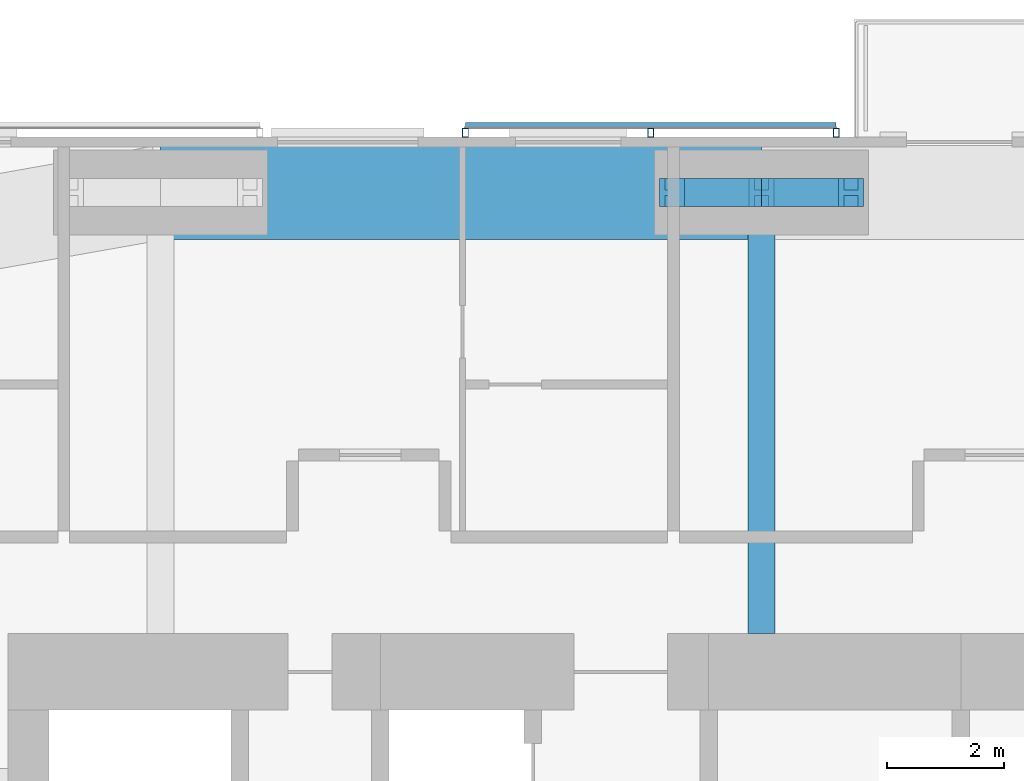
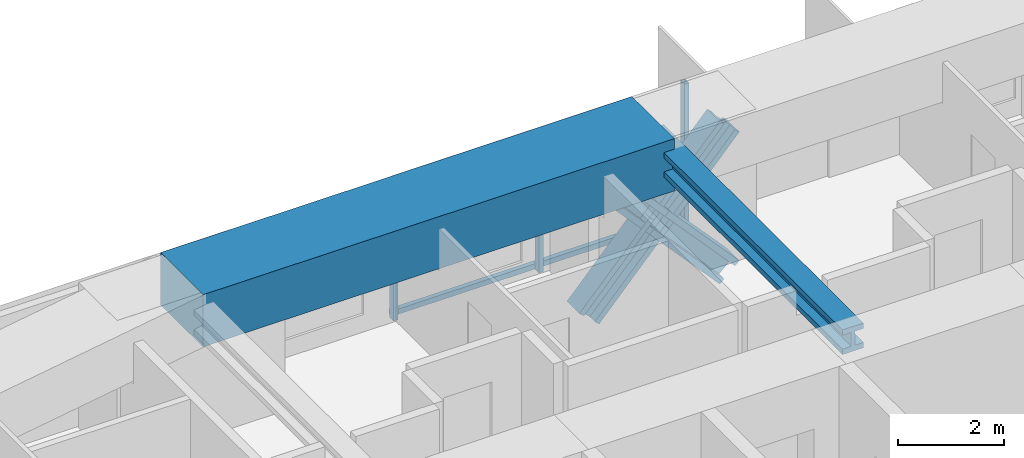
# One storey, part 12 of 23: 8 members, 2 beams, 1 element without a shape of its own.
"""IFC4 building model written with IfcOpenShell, lengths in metres."""

from ifc_helpers import new_model, si_unit, direction, frame, origin, origin_2d, place, context, subcontext, project, spatial, rectangle, hollow_rectangle, i_section, extrude, material, material_profile, profile_set, type_object, element, aggregate, save


model = new_model("IFC4")

# Units and contexts
model_context = context("Model", 3, precision=1e-05, world=origin(), true_north=direction((0.0, 1.0)))
body_context = subcontext(model_context, "Body", "Model", "MODEL_VIEW")
ifc_project = project(units=[si_unit("LENGTHUNIT", "METRE"), si_unit("AREAUNIT", "SQUARE_METRE"), si_unit("VOLUMEUNIT", "CUBIC_METRE"), si_unit("PLANEANGLEUNIT", "RADIAN"), si_unit("MASSUNIT", "GRAM", prefix="KILO")], contexts=[model_context])

# Site, building, storey
site_placement = place(None, origin())
site = spatial("IfcSite", under=ifc_project, at=site_placement, CompositionType="ELEMENT")
building_placement = place(site_placement, origin())
building = spatial("IfcBuilding", under=site, at=building_placement, Name="Jalousie Tower", CompositionType="ELEMENT")
storey_placement = place(building_placement, frame((0.0, 0.0, 184.5)))
storey = spatial("IfcBuildingStorey", under=building, at=storey_placement, Name="L50", CompositionType="ELEMENT", Elevation=184.5)

# Beam
ifc_material_1 = material(Name="Steel ASTM A992 Grade 50", Category="steel")
ifc_material_profile_1 = material_profile(ifc_material_1, i_section(OverallWidth=0.45458984375, OverallDepth=0.569091796875, WebThickness=0.077880859375, FlangeThickness=0.124755859375, at=origin_2d()), Name="W14X730")
ifc_profile_set_1 = profile_set([ifc_material_profile_1], Name="Steel ASTM A992 Grade 50")
beam_type_1 = type_object("IfcBeamType", Name="LEAN COLLECTOR W14X730", PredefinedType="BEAM", material=ifc_profile_set_1)
beam_1_placement = place(storey_placement, frame((32.5, 35.050048828125, 2.825439453125), z_axis=(0.0, -1.0, 0.0), x_axis=(1.0, 0.0, 0.0)))
element("IfcBeam", 1, at=beam_1_placement, inside=storey, type_object=beam_type_1, Name="Lean collector under L51", PredefinedType="BEAM", context=body_context, shape_type="SweptSolid", body=[
    extrude(i_section(OverallWidth=0.45458984375, OverallDepth=0.569091796875, WebThickness=0.077880859375, FlangeThickness=0.124755859375, at=origin_2d()), origin(), (0.0, 0.0, 1.0), 7.525146484375),
])

# Members
ifc_material_2 = material(Name="Steel ASTM A992 Grade 50", Category="steel")
ifc_material_profile_2 = material_profile(ifc_material_2, i_section(OverallWidth=0.472412109375, OverallDepth=0.5791015625, WebThickness=0.094970703125, FlangeThickness=0.1298828125, at=origin_2d()), Name="W14X808")
ifc_profile_set_2 = profile_set([ifc_material_profile_2], Name="Steel ASTM A992 Grade 50")
member_type_1 = type_object("IfcMemberType", Name="PERIMETER BRACE W14X808", PredefinedType="BRACE", material=ifc_profile_set_2)
for number, where, z_axis, x_axis, name in (
    (2, (30.97509765625, 35.050048828125, -0.60009765625), (0.673187629365, 0.0, 0.739471713908), (0.0, 1.0, 0.0), "Perimeter brace 10 L50 part 1"),
    (3, (32.5, 35.050048828125, 1.074951171875), (0.673187629365, 0.0, 0.739471713908), (0.0, 1.0, 0.0), "Perimeter brace 10 L50 part 2"),
    (4, (34.02490234375, 35.050048828125, -0.60009765625), (-0.673187629365, 0.0, 0.739471713908), (0.0, -1.0, 0.0), "Perimeter brace 10 L50 part 3"),
    (5, (32.5, 35.050048828125, 1.074951171875), (-0.673187629365, 0.0, 0.739471713908), (0.0, -1.0, 0.0), "Perimeter brace 10 L50 part 4"),
):
    element("IfcMember", number, at=place(storey_placement, frame(where, z_axis=z_axis, x_axis=x_axis)), inside=storey, type_object=member_type_1, Name=name, PredefinedType="BRACE", context=body_context, shape_type="SweptSolid", body=[
        extrude(i_section(OverallWidth=0.472412109375, OverallDepth=0.5791015625, WebThickness=0.094970703125, FlangeThickness=0.1298828125, at=origin_2d()), origin(), (0.0, 0.0, 1.0), 2.26513671875),
    ])

# Beam
ifc_material_3 = material(Name="Concrete f'c 40 MPa", Category="concrete")
ifc_material_profile_3 = material_profile(ifc_material_3, rectangle(XDim=1.60009765625, YDim=1.199951171875, at=origin_2d()), Name="RC 1600x1200")
ifc_profile_set_3 = profile_set([ifc_material_profile_3], Name="Concrete f'c 40 MPa")
beam_type_2 = type_object("IfcBeamType", Name="RC BEAM 1600x1200", PredefinedType="BEAM", material=ifc_profile_set_3)
beam_2_placement = place(storey_placement, frame((32.5, 35.050048828125, 2.75), z_axis=(-1.0, 0.0, 0.0), x_axis=(0.0, -1.0, 0.0)))
element("IfcBeam", 6, at=beam_2_placement, inside=storey, type_object=beam_type_2, Name="Edge band beam 10-11 under L51", PredefinedType="BEAM", context=body_context, shape_type="SweptSolid", body=[
    extrude(rectangle(XDim=1.60009765625, YDim=1.199951171875, at=origin_2d()), origin(), (0.0, 0.0, 1.0), 10.25),
])

# Curtain wall, members
ifc_material_4 = material(Name="Perforated aluminium sheet", Category="aluminium")
curtain_wall_type = type_object("IfcCurtainWallType", Name="SOLAR SCREEN SS-1", PredefinedType="USERDEFINED", material=ifc_material_4)
curtain_wall_placement = place(storey_placement, origin())
curtain_wall = element("IfcCurtainWall", 7, at=curtain_wall_placement, inside=storey, type_object=curtain_wall_type, Name="Solar screen L50", ObjectType="SOLAR SCREEN SS-1", PredefinedType="USERDEFINED")
ifc_material_5 = material(Name="Steel ASTM A500 Grade C", Category="steel")
ifc_material_profile_4 = material_profile(ifc_material_5, hollow_rectangle(XDim=0.1015625, YDim=0.15234375, WallThickness=0.00634765625, at=origin_2d()), Name="HSS6X4X1/4")
ifc_profile_set_4 = profile_set([ifc_material_profile_4], Name="Steel ASTM A500 Grade C")
member_type_2 = type_object("IfcMemberType", Name="SOLAR SCREEN SS-1 MULLION", PredefinedType="MULLION", material=ifc_profile_set_4)
member_1_placement = place(storey_placement, frame((33.77490234375, 36.0712890625, -0.1201171875), z_axis=(0.0, 0.0, 1.0), x_axis=(-1.0, 0.0, 0.0)))
member_1 = element("IfcMember", 8, at=member_1_placement, type_object=member_type_2, Name="SS1 post 1", PredefinedType="MULLION", context=body_context, shape_type="SweptSolid", body=[
    extrude(hollow_rectangle(XDim=0.1015625, YDim=0.15234375, WallThickness=0.00634765625, at=origin_2d()), origin(), (0.0, 0.0, 1.0), 3.230224609375),
])
member_2_placement = place(storey_placement, frame((30.612548828125, 36.0712890625, -0.1201171875), z_axis=(0.0, 0.0, 1.0), x_axis=(-1.0, 0.0, 0.0)))
member_2 = element("IfcMember", 9, at=member_2_placement, type_object=member_type_2, Name="SS1 post 2", PredefinedType="MULLION", context=body_context, shape_type="SweptSolid", body=[
    extrude(hollow_rectangle(XDim=0.1015625, YDim=0.15234375, WallThickness=0.00634765625, at=origin_2d()), origin(), (0.0, 0.0, 1.0), 3.230224609375),
])
member_3_placement = place(storey_placement, frame((27.449951171875, 36.0712890625, -0.1201171875), z_axis=(0.0, 0.0, 1.0), x_axis=(-1.0, 0.0, 0.0)))
member_3 = element("IfcMember", 10, at=member_3_placement, type_object=member_type_2, Name="SS1 post 3", PredefinedType="MULLION", context=body_context, shape_type="SweptSolid", body=[
    extrude(hollow_rectangle(XDim=0.1015625, YDim=0.15234375, WallThickness=0.00634765625, at=origin_2d()), origin(), (0.0, 0.0, 1.0), 3.230224609375),
])
ifc_material_6 = material(Name="Extruded aluminium screen rail", Category="aluminium")
ifc_material_profile_5 = material_profile(ifc_material_6, rectangle(XDim=0.1015625, YDim=0.1201171875, at=origin_2d()), Name="RAIL 102x120")
ifc_profile_set_5 = profile_set([ifc_material_profile_5], Name="Extruded aluminium screen rail")
member_type_3 = type_object("IfcMemberType", Name="SOLAR SCREEN SS-1 TRANSOM", PredefinedType="USERDEFINED", material=ifc_profile_set_5)
member_4_placement = place(storey_placement, frame((33.77490234375, 36.1982421875, -0.06005859375), z_axis=(-1.0, 0.0, 0.0), x_axis=(0.0, -1.0, 0.0)))
member_4 = element("IfcMember", 11, at=member_4_placement, type_object=member_type_3, Name="SS1 rail", ObjectType="TRANSOM", PredefinedType="USERDEFINED", context=body_context, shape_type="SweptSolid", body=[
    extrude(rectangle(XDim=0.1015625, YDim=0.1201171875, at=origin_2d()), origin(), (0.0, 0.0, 1.0), 6.324951171875),
])
aggregate(curtain_wall, [member_1, member_2, member_3, member_4])

save(model, "model.ifc")
